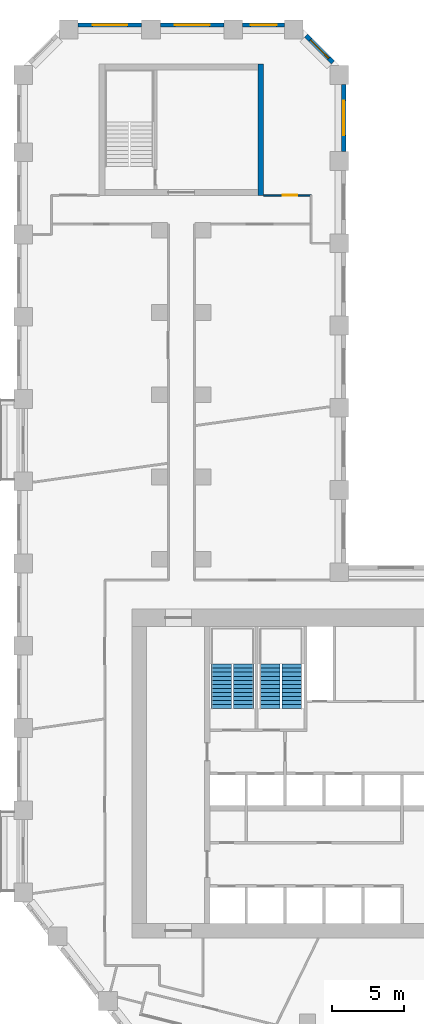
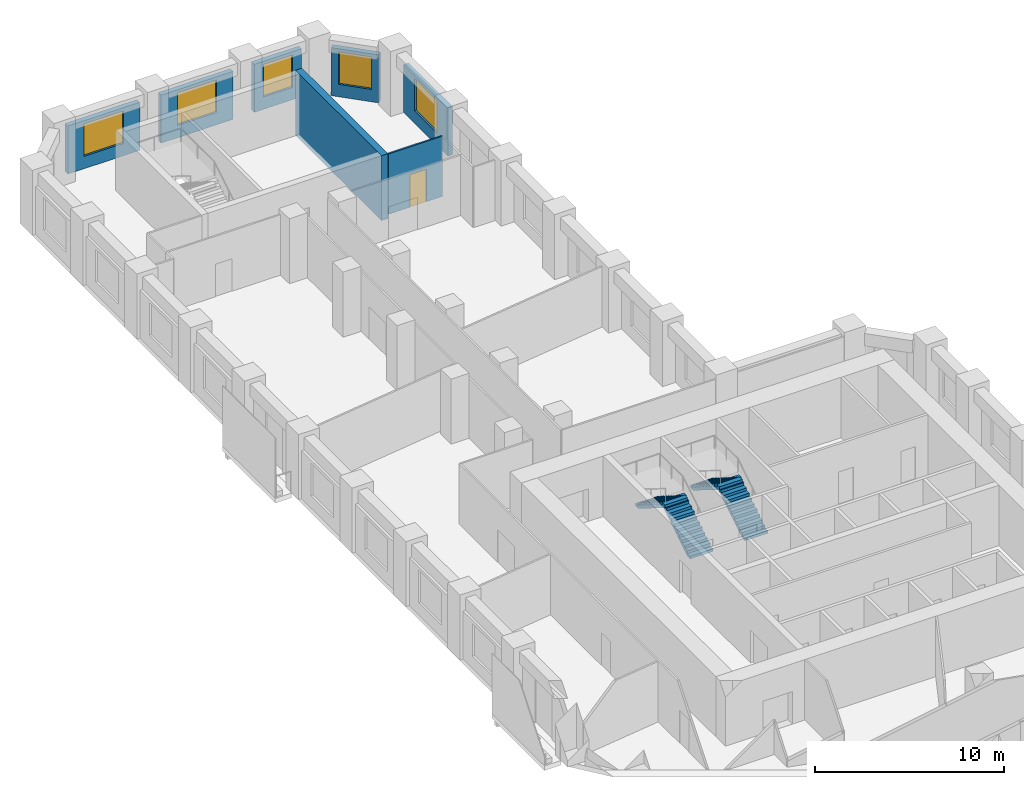
# One storey, part 9 of 11: 7 walls, 5 windows, 4 stair flights, 1 door, 6 openings, 2 elements without a shape of their own.
"""IFC4 building model written with IfcOpenShell, lengths in metres."""

from ifc_helpers import new_model, si_unit, direction, frame, frame_2d, origin, place, context, subcontext, project, spatial, polyline, rectangle, outline, extrude, material, layer, layer_set, type_object, element, fill, aggregate, save


model = new_model("IFC4")

# Units and contexts
model_context = context("Model", 3, precision=1e-05, world=origin(), true_north=direction((0.0, 1.0)))
body_context = subcontext(model_context, "Body", "Model", "MODEL_VIEW")
ifc_project = project(units=[si_unit("LENGTHUNIT", "METRE"), si_unit("AREAUNIT", "SQUARE_METRE"), si_unit("VOLUMEUNIT", "CUBIC_METRE"), si_unit("PLANEANGLEUNIT", "RADIAN"), si_unit("MASSUNIT", "GRAM", prefix="KILO")], contexts=[model_context])

# Site, building, storey
site_placement = place(None, origin())
site = spatial("IfcSite", under=ifc_project, at=site_placement, CompositionType="ELEMENT")
building_placement = place(site_placement, origin())
building = spatial("IfcBuilding", under=site, at=building_placement, Name="Meshkara Civic Tower", CompositionType="ELEMENT")
storey_placement = place(building_placement, frame((0.0, 0.0, 101.39990234375)))
storey = spatial("IfcBuildingStorey", under=building, at=storey_placement, Name="L22", CompositionType="ELEMENT", Elevation=101.39990234375)

# Wall, opening, door
ifc_material_1 = material(Name="Corridor wall 100")
ifc_layer_1 = layer(ifc_material_1, 0.10009765625)
ifc_layer_set_1 = layer_set([ifc_layer_1], Name="Corridor wall 100")
wall_type_1 = type_object("IfcWallType", Name="Corridor wall 100", PredefinedType="PARTITIONING", material=ifc_layer_set_1)
wall_1_placement = place(storey_placement, frame((20.39990234375, 65.570068359375, 0.0), z_axis=(0.0, 0.0, 1.0), x_axis=(-1.0, 0.0, 0.0)))
wall_1 = element("IfcWall", 1, at=wall_1_placement, inside=storey, type_object=wall_type_1, Name="L22-W017", PredefinedType="PARTITIONING", context=body_context, shape_type="SweptSolid", body=[
    extrude(rectangle(XDim=3.2998046875, YDim=0.10009765625, at=frame_2d((1.64990234375, 0.0))), origin(), (0.0, 0.0, 1.0), 3.900146484375),
])
opening_1_placement = place(wall_1_placement, frame((0.97998046875, 0.0, 0.0)))
opening_1 = element("IfcOpeningElement", 2, at=opening_1_placement, cuts=wall_1, Name="Opening L22-D026", PredefinedType="OPENING", context=body_context, shape_type="SweptSolid", body=[
    extrude(rectangle(XDim=1.0, YDim=2.10009765625, at=frame_2d((0.5, 1.050048828125))), frame((0.0, 0.06005859375, 0.0), z_axis=(0.0, -1.0, 0.0), x_axis=(1.0, 0.0, 0.0)), (0.0, 0.0, 1.0), 0.1201171875),
])
ifc_material_2 = material(Name="Door 1000 x 2100")
door_type = type_object("IfcDoorType", Name="Door 1000 x 2100", OperationType="SINGLE_SWING_LEFT", PredefinedType="DOOR", material=ifc_material_2)
door_placement = place(opening_1_placement, origin())
door = element("IfcDoor", 3, at=door_placement, inside=storey, type_object=door_type, Name="L22-D026", OperationType="SINGLE_SWING_RIGHT", OverallHeight=2.10009765625, OverallWidth=1.0, PredefinedType="DOOR", context=body_context, shape_type="SweptSolid", body=[
    extrude(rectangle(XDim=1.0, YDim=2.10009765625, at=frame_2d((0.5, 1.050048828125))), frame((0.0, 0.02490234375, 0.0), z_axis=(0.0, -1.0, 0.0), x_axis=(1.0, 0.0, 0.0)), (0.0, 0.0, 1.0), 0.050048828125),
])
fill(opening_1, door)

# Wall, opening, window
ifc_material_3 = material(Name="Insulated infill panel with bronze anodised aluminium cladding", Category="aluminium")
ifc_layer_2 = layer(ifc_material_3, 0.300048828125)
ifc_layer_set_2 = layer_set([ifc_layer_2], Name="EXTERNAL INFILL WALL 300")
wall_type_2 = type_object("IfcWallType", Name="EXTERNAL INFILL WALL 300", PredefinedType="SOLIDWALL", material=ifc_layer_set_2)
wall_2_placement = place(storey_placement, frame((22.64990234375, 68.60009765625, 0.0), z_axis=(0.0, 0.0, 1.0), x_axis=(0.0, 1.0, 0.0)))
wall_2 = element("IfcWall", 4, at=wall_2_placement, inside=storey, type_object=wall_type_2, Name="External wall", PredefinedType="SOLIDWALL", context=body_context, shape_type="SweptSolid", body=[
    extrude(rectangle(XDim=4.663818359375, YDim=0.300048828125, at=frame_2d((2.33203125, 0.0))), origin(), (0.0, 0.0, 1.0), 3.10009765625),
])
opening_2_placement = place(wall_2_placement, frame((1.132080078125, 0.0, 0.800048828125)))
opening_2 = element("IfcOpeningElement", 5, at=opening_2_placement, cuts=wall_2, Name="Opening W7", PredefinedType="OPENING", context=body_context, shape_type="SweptSolid", body=[
    extrude(rectangle(XDim=2.39990234375, YDim=2.10009765625, at=frame_2d((1.199951171875, 1.050048828125))), frame((0.0, 0.159912109375, 0.0), z_axis=(0.0, -1.0, 0.0), x_axis=(1.0, 0.0, 0.0)), (0.0, 0.0, 1.0), 0.320068359375),
])
ifc_material_4 = material(Name="Tinted double glazing", Category="glass")
window_type_1 = type_object("IfcWindowType", Name="WINDOW 2400x2100", PartitioningType="DOUBLE_PANEL_VERTICAL", PredefinedType="WINDOW", material=ifc_material_4)
window_1_placement = place(opening_2_placement, origin())
window_1 = element("IfcWindow", 6, at=window_1_placement, inside=storey, type_object=window_type_1, Name="Window", OverallHeight=2.10009765625, OverallWidth=2.39990234375, PartitioningType="DOUBLE_PANEL_VERTICAL", PredefinedType="WINDOW", context=body_context, shape_type="SweptSolid", body=[
    extrude(rectangle(XDim=2.39990234375, YDim=2.10009765625, at=frame_2d((1.199951171875, 1.050048828125))), frame((0.0, 0.030029296875, 0.0), z_axis=(0.0, -1.0, 0.0), x_axis=(1.0, 0.0, 0.0)), (0.0, 0.0, 1.0), 0.06005859375),
])
fill(opening_2, window_1)

wall_3_placement = place(storey_placement, frame((21.912109375, 74.77587890625, 0.0), z_axis=(0.0, 0.0, 1.0), x_axis=(-0.707106781187, 0.707106781187, 0.0)))
wall_3 = element("IfcWall", 7, at=wall_3_placement, inside=storey, type_object=wall_type_2, Name="External wall", PredefinedType="SOLIDWALL", context=body_context, shape_type="SweptSolid", body=[
    extrude(rectangle(XDim=2.625, YDim=0.300048828125, at=frame_2d((1.3125, 0.0))), origin(), (0.0, 0.0, 1.0), 3.10009765625),
])
opening_3_placement = place(wall_3_placement, frame((0.412109375, 0.0, 0.800048828125)))
opening_3 = element("IfcOpeningElement", 8, at=opening_3_placement, cuts=wall_3, Name="Opening W9", PredefinedType="OPENING", context=body_context, shape_type="SweptSolid", body=[
    extrude(rectangle(XDim=1.800048828125, YDim=2.10009765625, at=frame_2d((0.89990234375, 1.050048828125))), frame((0.0, 0.159912109375, 0.0), z_axis=(0.0, -1.0, 0.0), x_axis=(1.0, 0.0, 0.0)), (0.0, 0.0, 1.0), 0.320068359375),
])
ifc_material_5 = material(Name="Tinted double glazing", Category="glass")
window_type_2 = type_object("IfcWindowType", Name="WINDOW 1800x2100", PartitioningType="DOUBLE_PANEL_VERTICAL", PredefinedType="WINDOW", material=ifc_material_5)
window_2_placement = place(opening_3_placement, origin())
window_2 = element("IfcWindow", 9, at=window_2_placement, inside=storey, type_object=window_type_2, Name="Window", OverallHeight=2.10009765625, OverallWidth=1.800048828125, PartitioningType="DOUBLE_PANEL_VERTICAL", PredefinedType="WINDOW", context=body_context, shape_type="SweptSolid", body=[
    extrude(rectangle(XDim=1.800048828125, YDim=2.10009765625, at=frame_2d((0.89990234375, 1.050048828125))), frame((0.0, 0.030029296875, 0.0), z_axis=(0.0, -1.0, 0.0), x_axis=(1.0, 0.0, 0.0)), (0.0, 0.0, 1.0), 0.06005859375),
])
fill(opening_3, window_2)

wall_4_placement = place(storey_placement, frame((18.5439453125, 77.3701171875, 0.0), z_axis=(0.0, 0.0, 1.0), x_axis=(-1.0, 0.0, 0.0)))
wall_4 = element("IfcWall", 10, at=wall_4_placement, inside=storey, type_object=wall_type_2, Name="External wall", PredefinedType="SOLIDWALL", context=body_context, shape_type="SweptSolid", body=[
    extrude(rectangle(XDim=2.887939453125, YDim=0.300048828125, at=frame_2d((1.44384765625, 0.0))), origin(), (0.0, 0.0, 1.0), 3.10009765625),
])
opening_4_placement = place(wall_4_placement, frame((0.5439453125, 0.0, 0.800048828125)))
opening_4 = element("IfcOpeningElement", 11, at=opening_4_placement, cuts=wall_4, Name="Opening W9", PredefinedType="OPENING", context=body_context, shape_type="SweptSolid", body=[
    extrude(rectangle(XDim=1.800048828125, YDim=2.10009765625, at=frame_2d((0.89990234375, 1.050048828125))), frame((0.0, 0.159912109375, 0.0), z_axis=(0.0, -1.0, 0.0), x_axis=(1.0, 0.0, 0.0)), (0.0, 0.0, 1.0), 0.320068359375),
])
window_3_placement = place(opening_4_placement, origin())
window_3 = element("IfcWindow", 12, at=window_3_placement, inside=storey, type_object=window_type_2, Name="Window", OverallHeight=2.10009765625, OverallWidth=1.800048828125, PartitioningType="DOUBLE_PANEL_VERTICAL", PredefinedType="WINDOW", context=body_context, shape_type="SweptSolid", body=[
    extrude(rectangle(XDim=1.800048828125, YDim=2.10009765625, at=frame_2d((0.89990234375, 1.050048828125))), frame((0.0, 0.030029296875, 0.0), z_axis=(0.0, -1.0, 0.0), x_axis=(1.0, 0.0, 0.0)), (0.0, 0.0, 1.0), 0.06005859375),
])
fill(opening_4, window_3)

wall_5_placement = place(storey_placement, frame((14.35595703125, 77.3701171875, 0.0), z_axis=(0.0, 0.0, 1.0), x_axis=(-1.0, 0.0, 0.0)))
wall_5 = element("IfcWall", 13, at=wall_5_placement, inside=storey, type_object=wall_type_2, Name="External wall", PredefinedType="SOLIDWALL", context=body_context, shape_type="SweptSolid", body=[
    extrude(rectangle(XDim=4.39990234375, YDim=0.300048828125, at=frame_2d((2.199951171875, 0.0))), origin(), (0.0, 0.0, 1.0), 3.10009765625),
])
opening_5_placement = place(wall_5_placement, frame((1.0, 0.0, 0.800048828125)))
opening_5 = element("IfcOpeningElement", 14, at=opening_5_placement, cuts=wall_5, Name="Opening W7", PredefinedType="OPENING", context=body_context, shape_type="SweptSolid", body=[
    extrude(rectangle(XDim=2.39990234375, YDim=2.10009765625, at=frame_2d((1.199951171875, 1.050048828125))), frame((0.0, 0.159912109375, 0.0), z_axis=(0.0, -1.0, 0.0), x_axis=(1.0, 0.0, 0.0)), (0.0, 0.0, 1.0), 0.320068359375),
])
window_4_placement = place(opening_5_placement, origin())
window_4 = element("IfcWindow", 15, at=window_4_placement, inside=storey, type_object=window_type_1, Name="Window", OverallHeight=2.10009765625, OverallWidth=2.39990234375, PartitioningType="DOUBLE_PANEL_VERTICAL", PredefinedType="WINDOW", context=body_context, shape_type="SweptSolid", body=[
    extrude(rectangle(XDim=2.39990234375, YDim=2.10009765625, at=frame_2d((1.199951171875, 1.050048828125))), frame((0.0, 0.030029296875, 0.0), z_axis=(0.0, -1.0, 0.0), x_axis=(1.0, 0.0, 0.0)), (0.0, 0.0, 1.0), 0.06005859375),
])
fill(opening_5, window_4)

wall_6_placement = place(storey_placement, frame((8.656005859375, 77.3701171875, 0.0), z_axis=(0.0, 0.0, 1.0), x_axis=(-1.0, 0.0, 0.0)))
wall_6 = element("IfcWall", 16, at=wall_6_placement, inside=storey, type_object=wall_type_2, Name="External wall", PredefinedType="SOLIDWALL", context=body_context, shape_type="SweptSolid", body=[
    extrude(rectangle(XDim=4.39990234375, YDim=0.300048828125, at=frame_2d((2.199951171875, 0.0))), origin(), (0.0, 0.0, 1.0), 3.10009765625),
])
opening_6_placement = place(wall_6_placement, frame((1.0, 0.0, 0.800048828125)))
opening_6 = element("IfcOpeningElement", 17, at=opening_6_placement, cuts=wall_6, Name="Opening W7", PredefinedType="OPENING", context=body_context, shape_type="SweptSolid", body=[
    extrude(rectangle(XDim=2.39990234375, YDim=2.10009765625, at=frame_2d((1.199951171875, 1.050048828125))), frame((0.0, 0.159912109375, 0.0), z_axis=(0.0, -1.0, 0.0), x_axis=(1.0, 0.0, 0.0)), (0.0, 0.0, 1.0), 0.320068359375),
])
window_5_placement = place(opening_6_placement, origin())
window_5 = element("IfcWindow", 18, at=window_5_placement, inside=storey, type_object=window_type_1, Name="Window", OverallHeight=2.10009765625, OverallWidth=2.39990234375, PartitioningType="DOUBLE_PANEL_VERTICAL", PredefinedType="WINDOW", context=body_context, shape_type="SweptSolid", body=[
    extrude(rectangle(XDim=2.39990234375, YDim=2.10009765625, at=frame_2d((1.199951171875, 1.050048828125))), frame((0.0, 0.030029296875, 0.0), z_axis=(0.0, -1.0, 0.0), x_axis=(1.0, 0.0, 0.0)), (0.0, 0.0, 1.0), 0.06005859375),
])
fill(opening_6, window_5)

# Wall
ifc_material_6 = material(Name="Concrete C70", Category="concrete")
ifc_layer_3 = layer(ifc_material_6, 0.39990234375)
ifc_layer_set_3 = layer_set([ifc_layer_3], Name="End core ring wall 400 C70")
wall_type_3 = type_object("IfcWallType", Name="End core ring wall 400 C70", PredefinedType="SHEAR", material=ifc_layer_set_3)
wall_7_placement = place(storey_placement, frame((16.89990234375, 65.570068359375, -0.2998046875), z_axis=(0.0, 0.0, 1.0), x_axis=(0.0, 1.0, 0.0)))
element("IfcWall", 19, at=wall_7_placement, inside=storey, type_object=wall_type_3, Name="L22-C027", PredefinedType="SHEAR", context=body_context, shape_type="SweptSolid", body=[
    extrude(rectangle(XDim=9.099853515625, YDim=0.39990234375, at=frame_2d((4.5498046875, 0.0))), origin(), (0.0, 0.0, 1.0), 4.199951171875),
])

# Stair, stair flights
ifc_material_7 = material(Name="Precast concrete C40/50", Category="concrete")
stair_type = type_object("IfcStairType", Name="Exit stair half-turn 24 risers precast", PredefinedType="HALF_TURN_STAIR", material=ifc_material_7)
stair_1_placement = place(storey_placement, origin())
stair_1 = element("IfcStair", 20, at=stair_1_placement, inside=storey, type_object=stair_type, Name="L22 exit stair 1", PredefinedType="HALF_TURN_STAIR")
ifc_material_8 = material(Name="Precast concrete C40/50", Category="concrete")
stair_flight_type = type_object("IfcStairFlightType", Name="Exit stair flight 12 risers precast", PredefinedType="STRAIGHT", material=ifc_material_8)
stair_flight_1_placement = place(storey_placement, frame((15.72509765625, 30.0, 0.0), z_axis=(0.0, 0.0, 1.0), x_axis=(0.0, 1.0, 0.0)))
stair_flight_1 = element("IfcStairFlight", 21, at=stair_flight_1_placement, type_object=stair_flight_type, Name="ST1 flight 1", NumberOfRisers=12, NumberOfTreads=11, PredefinedType="STRAIGHT", RiserHeight=0.175, TreadLength=0.28, context=body_context, shape_type="SweptSolid", body=[
    extrude(outline(polyline([(0.0, 0.0), (0.0, 0.175048828125), (0.280029296875, 0.175048828125), (0.280029296875, 0.35009765625), (0.56005859375, 0.35009765625), (0.56005859375, 0.52490234375), (0.840087890625, 0.52490234375), (0.840087890625, 0.699951171875), (1.1201171875, 0.699951171875), (1.1201171875, 0.875), (1.39990234375, 0.875), (1.39990234375, 1.050048828125), (1.679931640625, 1.050048828125), (1.679931640625, 1.22509765625), (1.9599609375, 1.22509765625), (1.9599609375, 1.39990234375), (2.239990234375, 1.39990234375), (2.239990234375, 1.574951171875), (2.52001953125, 1.574951171875), (2.52001953125, 1.75), (2.800048828125, 1.75), (2.800048828125, 1.925048828125), (3.080078125, 1.925048828125), (3.080078125, 2.10009765625), (3.080078125, 1.748291015625), (0.28271484375, 0.0), (0.0, 0.0)])), frame((0.0, 0.699951171875, 0.0), z_axis=(0.0, -1.0, 0.0), x_axis=(1.0, 0.0, 0.0)), (0.0, 0.0, 1.0), 1.39990234375),
])
stair_flight_2_placement = place(storey_placement, frame((14.175048828125, 33.080078125, 2.10009765625), z_axis=(0.0, 0.0, 1.0), x_axis=(0.0, -1.0, 0.0)))
stair_flight_2 = element("IfcStairFlight", 22, at=stair_flight_2_placement, type_object=stair_flight_type, Name="ST1 flight 2", NumberOfRisers=12, NumberOfTreads=11, PredefinedType="STRAIGHT", RiserHeight=0.175, TreadLength=0.28, context=body_context, shape_type="SweptSolid", body=[
    extrude(outline(polyline([(0.0, 0.0), (0.0, 0.175048828125), (0.280029296875, 0.175048828125), (0.280029296875, 0.35009765625), (0.56005859375, 0.35009765625), (0.56005859375, 0.52490234375), (0.840087890625, 0.52490234375), (0.840087890625, 0.699951171875), (1.1201171875, 0.699951171875), (1.1201171875, 0.875), (1.39990234375, 0.875), (1.39990234375, 1.050048828125), (1.679931640625, 1.050048828125), (1.679931640625, 1.22509765625), (1.9599609375, 1.22509765625), (1.9599609375, 1.39990234375), (2.239990234375, 1.39990234375), (2.239990234375, 1.574951171875), (2.52001953125, 1.574951171875), (2.52001953125, 1.75), (2.800048828125, 1.75), (2.800048828125, 1.925048828125), (3.080078125, 1.925048828125), (3.080078125, 2.10009765625), (3.080078125, 1.748291015625), (0.28271484375, 0.0), (0.0, 0.0)])), frame((0.0, 0.699951171875, 0.0), z_axis=(0.0, -1.0, 0.0), x_axis=(1.0, 0.0, 0.0)), (0.0, 0.0, 1.0), 1.39990234375),
])
aggregate(stair_1, [stair_flight_1, stair_flight_2])

stair_2_placement = place(storey_placement, origin())
stair_2 = element("IfcStair", 23, at=stair_2_placement, inside=storey, type_object=stair_type, Name="L22 exit stair 2", PredefinedType="HALF_TURN_STAIR")
stair_flight_3_placement = place(storey_placement, frame((19.074951171875, 30.0, 0.0), z_axis=(0.0, 0.0, 1.0), x_axis=(0.0, 1.0, 0.0)))
stair_flight_3 = element("IfcStairFlight", 24, at=stair_flight_3_placement, type_object=stair_flight_type, Name="ST2 flight 1", NumberOfRisers=12, NumberOfTreads=11, PredefinedType="STRAIGHT", RiserHeight=0.175, TreadLength=0.28, context=body_context, shape_type="SweptSolid", body=[
    extrude(outline(polyline([(0.0, 0.0), (0.0, 0.175048828125), (0.280029296875, 0.175048828125), (0.280029296875, 0.35009765625), (0.56005859375, 0.35009765625), (0.56005859375, 0.52490234375), (0.840087890625, 0.52490234375), (0.840087890625, 0.699951171875), (1.1201171875, 0.699951171875), (1.1201171875, 0.875), (1.39990234375, 0.875), (1.39990234375, 1.050048828125), (1.679931640625, 1.050048828125), (1.679931640625, 1.22509765625), (1.9599609375, 1.22509765625), (1.9599609375, 1.39990234375), (2.239990234375, 1.39990234375), (2.239990234375, 1.574951171875), (2.52001953125, 1.574951171875), (2.52001953125, 1.75), (2.800048828125, 1.75), (2.800048828125, 1.925048828125), (3.080078125, 1.925048828125), (3.080078125, 2.10009765625), (3.080078125, 1.748291015625), (0.28271484375, 0.0), (0.0, 0.0)])), frame((0.0, 0.699951171875, 0.0), z_axis=(0.0, -1.0, 0.0), x_axis=(1.0, 0.0, 0.0)), (0.0, 0.0, 1.0), 1.39990234375),
])
stair_flight_4_placement = place(storey_placement, frame((17.52490234375, 33.080078125, 2.10009765625), z_axis=(0.0, 0.0, 1.0), x_axis=(0.0, -1.0, 0.0)))
stair_flight_4 = element("IfcStairFlight", 25, at=stair_flight_4_placement, type_object=stair_flight_type, Name="ST2 flight 2", NumberOfRisers=12, NumberOfTreads=11, PredefinedType="STRAIGHT", RiserHeight=0.175, TreadLength=0.28, context=body_context, shape_type="SweptSolid", body=[
    extrude(outline(polyline([(0.0, 0.0), (0.0, 0.175048828125), (0.280029296875, 0.175048828125), (0.280029296875, 0.35009765625), (0.56005859375, 0.35009765625), (0.56005859375, 0.52490234375), (0.840087890625, 0.52490234375), (0.840087890625, 0.699951171875), (1.1201171875, 0.699951171875), (1.1201171875, 0.875), (1.39990234375, 0.875), (1.39990234375, 1.050048828125), (1.679931640625, 1.050048828125), (1.679931640625, 1.22509765625), (1.9599609375, 1.22509765625), (1.9599609375, 1.39990234375), (2.239990234375, 1.39990234375), (2.239990234375, 1.574951171875), (2.52001953125, 1.574951171875), (2.52001953125, 1.75), (2.800048828125, 1.75), (2.800048828125, 1.925048828125), (3.080078125, 1.925048828125), (3.080078125, 2.10009765625), (3.080078125, 1.748291015625), (0.28271484375, 0.0), (0.0, 0.0)])), frame((0.0, 0.699951171875, 0.0), z_axis=(0.0, -1.0, 0.0), x_axis=(1.0, 0.0, 0.0)), (0.0, 0.0, 1.0), 1.39990234375),
])
aggregate(stair_2, [stair_flight_3, stair_flight_4])

save(model, "model.ifc")
